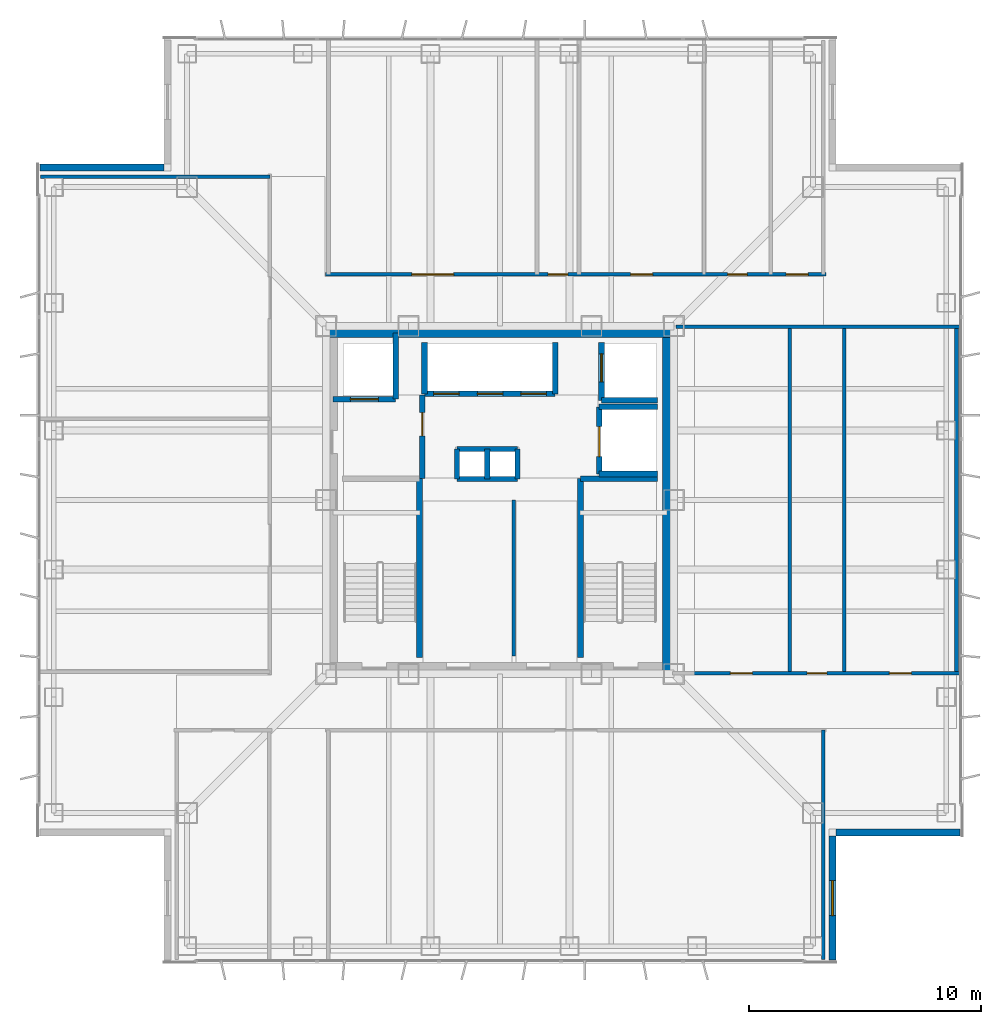
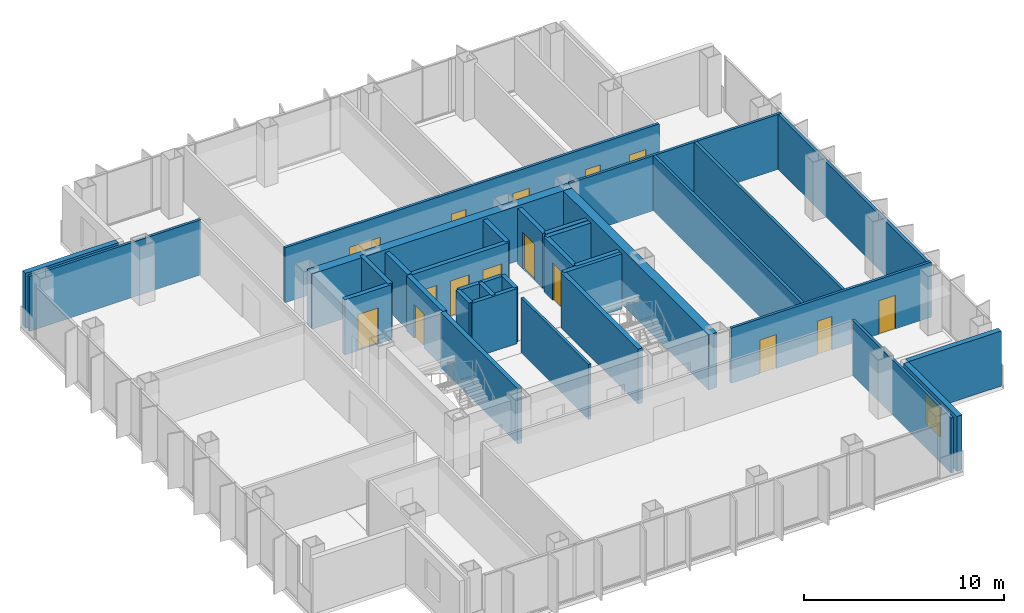
# One storey, part 10 of 17: 33 walls, 15 doors, 1 window, 16 openings.
"""IFC4 building model written with IfcOpenShell, lengths in metres."""

from ifc_helpers import new_model, si_unit, direction, frame, frame_2d, origin, place, context, subcontext, project, spatial, rectangle, extrude, material, layer, layer_set, type_object, element, fill, save


model = new_model("IFC4")

# Units and contexts
model_context = context("Model", 3, precision=1e-05, world=origin(), true_north=direction((0.0, 1.0)))
body_context = subcontext(model_context, "Body", "Model", "MODEL_VIEW")
ifc_project = project(units=[si_unit("LENGTHUNIT", "METRE"), si_unit("AREAUNIT", "SQUARE_METRE"), si_unit("VOLUMEUNIT", "CUBIC_METRE"), si_unit("PLANEANGLEUNIT", "RADIAN"), si_unit("MASSUNIT", "GRAM", prefix="KILO")], contexts=[model_context])

# Site, building, storey
site_placement = place(None, origin())
site = spatial("IfcSite", under=ifc_project, at=site_placement, CompositionType="ELEMENT")
building_placement = place(site_placement, origin())
building = spatial("IfcBuilding", under=site, at=building_placement, Name="Trevonay Congress Spire", CompositionType="ELEMENT")
storey_placement = place(building_placement, frame((0.0, 0.0, 184.199951171875)))
storey = spatial("IfcBuildingStorey", under=building, at=storey_placement, Name="L47", CompositionType="ELEMENT", Elevation=184.199951171875)

# Walls
ifc_material_1 = material(Name="Concrete C50/60", Category="concrete")
ifc_layer_1 = layer(ifc_material_1, 0.5, Name="Concrete C50/60")
ifc_layer_set_1 = layer_set([ifc_layer_1], Name="Concrete C50/60")
wall_type_1 = type_object("IfcWallType", Name="WAL-CORE-500", PredefinedType="SHEAR", material=ifc_layer_set_1)
for number, where, z_axis, x_axis, name in (
    (1, (-7.5, 7.25, 0.0), (0.0, 0.0, 1.0), (1.0, 0.0, 0.0), "L47 North structural core shear wall"),
    (2, (7.25, -7.5, 0.0), (0.0, 0.0, 1.0), (0.0, 1.0, 0.0), "L47 East structural core shear wall"),
):
    element("IfcWall", number, at=place(storey_placement, frame(where, z_axis=z_axis, x_axis=x_axis)), inside=storey, type_object=wall_type_1, Name=name, PredefinedType="SHEAR", context=body_context, shape_type="SweptSolid", body=[
        extrude(rectangle(XDim=15.0, YDim=0.5, at=frame_2d((7.5, 0.0))), origin(), (0.0, 0.0, 1.0), 3.360107421875),
    ])

# Wall, openings, doors
ifc_material_2 = material(Name="Concrete C40/50", Category="concrete")
ifc_layer_2 = layer(ifc_material_2, 0.14990234375, Name="Concrete C40/50")
ifc_layer_set_2 = layer_set([ifc_layer_2], Name="Concrete C40/50")
wall_type_2 = type_object("IfcWallType", Name="WAL-CORR-150", PredefinedType="PARTITIONING", material=ifc_layer_set_2)
wall_1_placement = place(storey_placement, frame((-7.52001953125, 9.72998046875, 0.0), z_axis=(0.0, 0.0, 1.0), x_axis=(1.0, 0.0, 0.0)))
wall_1 = element("IfcWall", 3, at=wall_1_placement, inside=storey, type_object=wall_type_2, Name="L47 interior wall WP-L47N-COR", PredefinedType="PARTITIONING", context=body_context, shape_type="SweptSolid", body=[
    extrude(rectangle(XDim=21.590087890625, YDim=0.14990234375, at=frame_2d((10.794921875, 0.0))), origin(), (0.0, 0.0, 1.0), 3.360107421875),
])
opening_1_placement = place(wall_1_placement, frame((3.719970703125, 0.0, 0.0)))
opening_1 = element("IfcOpeningElement", 4, at=opening_1_placement, cuts=wall_1, Name="Opening D09", PredefinedType="OPENING", context=body_context, shape_type="SweptSolid", body=[
    extrude(rectangle(XDim=1.800048828125, YDim=2.080078125, at=frame_2d((0.89990234375, 1.0400390625))), frame((0.0, 0.0849609375, 0.0), z_axis=(0.0, -1.0, 0.0), x_axis=(1.0, 0.0, 0.0)), (0.0, 0.0, 1.0), 0.169921875),
])
opening_2_placement = place(wall_1_placement, frame((9.60009765625, 0.0, 0.0)))
opening_2 = element("IfcOpeningElement", 5, at=opening_2_placement, cuts=wall_1, Name="Opening D10", PredefinedType="OPENING", context=body_context, shape_type="SweptSolid", body=[
    extrude(rectangle(XDim=0.85009765625, YDim=2.050048828125, at=frame_2d((0.425048828125, 1.02490234375))), frame((0.0, 0.0849609375, 0.0), z_axis=(0.0, -1.0, 0.0), x_axis=(1.0, 0.0, 0.0)), (0.0, 0.0, 1.0), 0.169921875),
])
opening_3_placement = place(wall_1_placement, frame((13.14990234375, 0.0, 0.0)))
opening_3 = element("IfcOpeningElement", 6, at=opening_3_placement, cuts=wall_1, Name="Opening D07", PredefinedType="OPENING", context=body_context, shape_type="SweptSolid", body=[
    extrude(rectangle(XDim=0.949951171875, YDim=2.06005859375, at=frame_2d((0.47509765625, 1.030029296875))), frame((0.0, 0.0849609375, 0.0), z_axis=(0.0, -1.0, 0.0), x_axis=(1.0, 0.0, 0.0)), (0.0, 0.0, 1.0), 0.169921875),
])
opening_4_placement = place(wall_1_placement, frame((17.3349609375, 0.0, 0.0)))
opening_4 = element("IfcOpeningElement", 7, at=opening_4_placement, cuts=wall_1, Name="Opening D10", PredefinedType="OPENING", context=body_context, shape_type="SweptSolid", body=[
    extrude(rectangle(XDim=0.85009765625, YDim=2.050048828125, at=frame_2d((0.425048828125, 1.02490234375))), frame((0.0, 0.0849609375, 0.0), z_axis=(0.0, -1.0, 0.0), x_axis=(1.0, 0.0, 0.0)), (0.0, 0.0, 1.0), 0.169921875),
])
opening_5_placement = place(wall_1_placement, frame((19.860107421875, 0.0, 0.0)))
opening_5 = element("IfcOpeningElement", 8, at=opening_5_placement, cuts=wall_1, Name="Opening D07", PredefinedType="OPENING", context=body_context, shape_type="SweptSolid", body=[
    extrude(rectangle(XDim=0.949951171875, YDim=2.06005859375, at=frame_2d((0.47509765625, 1.030029296875))), frame((0.0, 0.0849609375, 0.0), z_axis=(0.0, -1.0, 0.0), x_axis=(1.0, 0.0, 0.0)), (0.0, 0.0, 1.0), 0.169921875),
])
ifc_material_3 = material(Name="Pale Anodised Aluminium EN AW-6063-T6", Category="aluminium")
door_type_1 = type_object("IfcDoorType", Name="DOR-CONF-DBL", OperationType="DOUBLE_DOOR_SINGLE_SWING", PredefinedType="DOOR", material=ifc_material_3)
door_1_placement = place(opening_1_placement, origin())
door_1 = element("IfcDoor", 9, at=door_1_placement, inside=storey, type_object=door_type_1, Name="L47 Witness Waiting Lounge Door", OperationType="DOUBLE_DOOR_SINGLE_SWING", OverallHeight=2.080078125, OverallWidth=1.800048828125, PredefinedType="DOOR", context=body_context, shape_type="SweptSolid", body=[
    extrude(rectangle(XDim=1.800048828125, YDim=2.080078125, at=frame_2d((0.89990234375, 1.0400390625))), frame((0.0, 0.02490234375, 0.0), z_axis=(0.0, -1.0, 0.0), x_axis=(1.0, 0.0, 0.0)), (0.0, 0.0, 1.0), 0.050048828125),
])
fill(opening_1, door_1)
door_type_2 = type_object("IfcDoorType", Name="DOR-OFFICE-95", OperationType="NOTDEFINED", PredefinedType="DOOR", material=ifc_material_3)
door_2_placement = place(opening_3_placement, origin())
door_2 = element("IfcDoor", 10, at=door_2_placement, inside=storey, type_object=door_type_2, Name="L47 Floor Supplies and Copy Room Door", OperationType="SINGLE_SWING_LEFT", OverallHeight=2.06005859375, OverallWidth=0.949951171875, PredefinedType="DOOR", context=body_context, shape_type="SweptSolid", body=[
    extrude(rectangle(XDim=0.949951171875, YDim=2.06005859375, at=frame_2d((0.47509765625, 1.030029296875))), frame((0.0, 0.02490234375, 0.0), z_axis=(0.0, -1.0, 0.0), x_axis=(1.0, 0.0, 0.0)), (0.0, 0.0, 1.0), 0.050048828125),
])
fill(opening_3, door_2)
door_3_placement = place(opening_5_placement, origin())
door_3 = element("IfcDoor", 11, at=door_3_placement, inside=storey, type_object=door_type_2, Name="L47 Floor Supplies and Copy Room Door", OperationType="SINGLE_SWING_LEFT", OverallHeight=2.06005859375, OverallWidth=0.949951171875, PredefinedType="DOOR", context=body_context, shape_type="SweptSolid", body=[
    extrude(rectangle(XDim=0.949951171875, YDim=2.06005859375, at=frame_2d((0.47509765625, 1.030029296875))), frame((0.0, 0.02490234375, 0.0), z_axis=(0.0, -1.0, 0.0), x_axis=(1.0, 0.0, 0.0)), (0.0, 0.0, 1.0), 0.050048828125),
])
fill(opening_5, door_3)
door_type_3 = type_object("IfcDoorType", Name="DOR-WC-85", OperationType="NOTDEFINED", PredefinedType="DOOR", material=ifc_material_3)
door_4_placement = place(opening_2_placement, origin())
door_4 = element("IfcDoor", 12, at=door_4_placement, inside=storey, type_object=door_type_3, Name="L47 Accessible WC Door", OperationType="SINGLE_SWING_RIGHT", OverallHeight=2.050048828125, OverallWidth=0.85009765625, PredefinedType="DOOR", context=body_context, shape_type="SweptSolid", body=[
    extrude(rectangle(XDim=0.85009765625, YDim=2.050048828125, at=frame_2d((0.425048828125, 1.02490234375))), frame((0.0, 0.02490234375, 0.0), z_axis=(0.0, -1.0, 0.0), x_axis=(1.0, 0.0, 0.0)), (0.0, 0.0, 1.0), 0.050048828125),
])
fill(opening_2, door_4)
door_5_placement = place(opening_4_placement, origin())
door_5 = element("IfcDoor", 13, at=door_5_placement, inside=storey, type_object=door_type_3, Name="L47 Female Restroom WC Door", OperationType="SINGLE_SWING_RIGHT", OverallHeight=2.050048828125, OverallWidth=0.85009765625, PredefinedType="DOOR", context=body_context, shape_type="SweptSolid", body=[
    extrude(rectangle(XDim=0.85009765625, YDim=2.050048828125, at=frame_2d((0.425048828125, 1.02490234375))), frame((0.0, 0.02490234375, 0.0), z_axis=(0.0, -1.0, 0.0), x_axis=(1.0, 0.0, 0.0)), (0.0, 0.0, 1.0), 0.050048828125),
])
fill(opening_4, door_5)

wall_2_placement = place(storey_placement, frame((8.280029296875, -7.47998046875, 0.0), z_axis=(0.0, 0.0, 1.0), x_axis=(1.0, 0.0, 0.0)))
wall_2 = element("IfcWall", 14, at=wall_2_placement, inside=storey, type_object=wall_type_2, Name="L47 interior wall WP-L47E-COR", PredefinedType="PARTITIONING", context=body_context, shape_type="SweptSolid", body=[
    extrude(rectangle(XDim=11.5400390625, YDim=0.14990234375, at=frame_2d((5.77001953125, 0.0))), origin(), (0.0, 0.0, 1.0), 3.360107421875),
])
opening_6_placement = place(wall_2_placement, frame((1.655029296875, 0.0, 0.0)))
opening_6 = element("IfcOpeningElement", 15, at=opening_6_placement, cuts=wall_2, Name="Opening D07", PredefinedType="OPENING", context=body_context, shape_type="SweptSolid", body=[
    extrude(rectangle(XDim=0.949951171875, YDim=2.06005859375, at=frame_2d((0.47509765625, 1.030029296875))), frame((0.0, 0.0849609375, 0.0), z_axis=(0.0, -1.0, 0.0), x_axis=(1.0, 0.0, 0.0)), (0.0, 0.0, 1.0), 0.169921875),
])
opening_7_placement = place(wall_2_placement, frame((4.969970703125, 0.0, 0.0)))
opening_7 = element("IfcOpeningElement", 16, at=opening_7_placement, cuts=wall_2, Name="Opening D10", PredefinedType="OPENING", context=body_context, shape_type="SweptSolid", body=[
    extrude(rectangle(XDim=0.85009765625, YDim=2.050048828125, at=frame_2d((0.425048828125, 1.02490234375))), frame((0.0, 0.0849609375, 0.0), z_axis=(0.0, -1.0, 0.0), x_axis=(1.0, 0.0, 0.0)), (0.0, 0.0, 1.0), 0.169921875),
])
opening_8_placement = place(wall_2_placement, frame((8.52001953125, 0.0, 0.0)))
opening_8 = element("IfcOpeningElement", 17, at=opening_8_placement, cuts=wall_2, Name="Opening D07", PredefinedType="OPENING", context=body_context, shape_type="SweptSolid", body=[
    extrude(rectangle(XDim=0.949951171875, YDim=2.06005859375, at=frame_2d((0.47509765625, 1.030029296875))), frame((0.0, 0.0849609375, 0.0), z_axis=(0.0, -1.0, 0.0), x_axis=(1.0, 0.0, 0.0)), (0.0, 0.0, 1.0), 0.169921875),
])
door_6_placement = place(opening_6_placement, origin())
door_6 = element("IfcDoor", 18, at=door_6_placement, inside=storey, type_object=door_type_2, Name="L47 Hearing Catering Pantry Door", OperationType="SINGLE_SWING_RIGHT", OverallHeight=2.06005859375, OverallWidth=0.949951171875, PredefinedType="DOOR", context=body_context, shape_type="SweptSolid", body=[
    extrude(rectangle(XDim=0.949951171875, YDim=2.06005859375, at=frame_2d((0.47509765625, 1.030029296875))), frame((0.0, 0.02490234375, 0.0), z_axis=(0.0, -1.0, 0.0), x_axis=(1.0, 0.0, 0.0)), (0.0, 0.0, 1.0), 0.050048828125),
])
fill(opening_6, door_6)
door_7_placement = place(opening_8_placement, origin())
door_7 = element("IfcDoor", 19, at=door_7_placement, inside=storey, type_object=door_type_2, Name="L47 Floor Supplies and Copy Room Door", OperationType="SINGLE_SWING_RIGHT", OverallHeight=2.06005859375, OverallWidth=0.949951171875, PredefinedType="DOOR", context=body_context, shape_type="SweptSolid", body=[
    extrude(rectangle(XDim=0.949951171875, YDim=2.06005859375, at=frame_2d((0.47509765625, 1.030029296875))), frame((0.0, 0.02490234375, 0.0), z_axis=(0.0, -1.0, 0.0), x_axis=(1.0, 0.0, 0.0)), (0.0, 0.0, 1.0), 0.050048828125),
])
fill(opening_8, door_7)
door_8_placement = place(opening_7_placement, origin())
door_8 = element("IfcDoor", 20, at=door_8_placement, inside=storey, type_object=door_type_3, Name="L47 Male Restroom WC Door", OperationType="SINGLE_SWING_LEFT", OverallHeight=2.050048828125, OverallWidth=0.85009765625, PredefinedType="DOOR", context=body_context, shape_type="SweptSolid", body=[
    extrude(rectangle(XDim=0.85009765625, YDim=2.050048828125, at=frame_2d((0.425048828125, 1.02490234375))), frame((0.0, 0.02490234375, 0.0), z_axis=(0.0, -1.0, 0.0), x_axis=(1.0, 0.0, 0.0)), (0.0, 0.0, 1.0), 0.050048828125),
])
fill(opening_7, door_8)

# Wall, opening, window
ifc_material_4 = material(Name="Precast concrete C40/50", Category="concrete")
ifc_layer_3 = layer(ifc_material_4, 0.300048828125, Name="Precast concrete C40/50")
ifc_layer_set_3 = layer_set([ifc_layer_3], Name="Precast concrete C40/50")
wall_type_3 = type_object("IfcWallType", Name="WAL-EXT-PRECAST-300", PredefinedType="SOLIDWALL", material=ifc_layer_set_3)
wall_3_placement = place(storey_placement, frame((14.35009765625, -19.85009765625, 0.0), z_axis=(0.0, 0.0, 1.0), x_axis=(0.0, 1.0, 0.0)))
wall_3 = element("IfcWall", 21, at=wall_3_placement, inside=storey, type_object=wall_type_3, Name="L47 SE re-entrant notch exterior wall 1", PredefinedType="SOLIDWALL", context=body_context, shape_type="SweptSolid", body=[
    extrude(rectangle(XDim=5.35009765625, YDim=0.300048828125, at=frame_2d((2.675048828125, 0.0))), origin(), (0.0, 0.0, 1.0), 3.360107421875),
])
opening_9_placement = place(wall_3_placement, frame((1.925048828125, 0.0, 0.89990234375)))
opening_9 = element("IfcOpeningElement", 22, at=opening_9_placement, cuts=wall_3, Name="Opening WN03", PredefinedType="OPENING", context=body_context, shape_type="SweptSolid", body=[
    extrude(rectangle(XDim=1.5, YDim=1.800048828125, at=frame_2d((0.75, 0.89990234375))), frame((0.0, 0.16015625, 0.0), z_axis=(0.0, -1.0, 0.0), x_axis=(1.0, 0.0, 0.0)), (0.0, 0.0, 1.0), 0.320068359375),
])
ifc_material_5 = material(Name="Insulated Low-E Vision Glass IGU", Category="glass")
window_type = type_object("IfcWindowType", Name="WIN-NOTCH-150X180", PartitioningType="SINGLE_PANEL", PredefinedType="WINDOW", material=ifc_material_5)
window_placement = place(opening_9_placement, origin())
window = element("IfcWindow", 23, at=window_placement, inside=storey, type_object=window_type, Name="L47 SE corner notch window", OverallHeight=1.800048828125, OverallWidth=1.5, PartitioningType="SINGLE_PANEL", PredefinedType="WINDOW", context=body_context, shape_type="SweptSolid", body=[
    extrude(rectangle(XDim=1.5, YDim=1.800048828125, at=frame_2d((0.75, 0.89990234375))), frame((0.0, 0.030029296875, 0.0), z_axis=(0.0, -1.0, 0.0), x_axis=(1.0, 0.0, 0.0)), (0.0, 0.0, 1.0), 0.06005859375),
])
fill(opening_9, window)

# Walls
for number, where, z_axis, x_axis, name in (
    (24, (19.85009765625, -14.35009765625, 0.0), (0.0, 0.0, 1.0), (-1.0, 0.0, 0.0), "L47 SE re-entrant notch exterior wall 2"),
    (25, (-19.85009765625, 14.35009765625, 0.0), (0.0, 0.0, 1.0), (1.0, 0.0, 0.0), "L47 NW re-entrant notch exterior wall 2"),
):
    element("IfcWall", number, at=place(storey_placement, frame(where, z_axis=z_axis, x_axis=x_axis)), inside=storey, type_object=wall_type_3, Name=name, PredefinedType="SOLIDWALL", context=body_context, shape_type="SweptSolid", body=[
        extrude(rectangle(XDim=5.35009765625, YDim=0.300048828125, at=frame_2d((2.675048828125, 0.0))), origin(), (0.0, 0.0, 1.0), 3.360107421875),
    ])
ifc_layer_4 = layer(ifc_material_2, 0.14990234375, Name="Concrete C40/50")
ifc_layer_set_4 = layer_set([ifc_layer_4], Name="Concrete C40/50")
wall_type_4 = type_object("IfcWallType", Name="WAL-PART-150", PredefinedType="PARTITIONING", material=ifc_layer_set_4)
wall_4_placement = place(storey_placement, frame((0.60009765625, -6.719970703125, 0.0), z_axis=(0.0, 0.0, 1.0), x_axis=(0.0, 1.0, 0.0)))
element("IfcWall", 26, at=wall_4_placement, inside=storey, type_object=wall_type_4, Name="L47 interior wall CW-F1V-L47", PredefinedType="PARTITIONING", context=body_context, shape_type="SweptSolid", body=[
    extrude(rectangle(XDim=6.719970703125, YDim=0.14990234375, at=frame_2d((3.35986328125, 0.0))), origin(), (0.0, 0.0, 1.0), 3.360107421875),
])
for number, where, z_axis, x_axis, name in (
    (27, (13.949951171875, -19.820068359375, 0.0), (0.0, 0.0, 1.0), (0.0, 1.0, 0.0), "L47 interior wall WP-L47SE-DIV2"),
    (28, (-19.820068359375, 13.949951171875, 0.0), (0.0, 0.0, 1.0), (1.0, 0.0, 0.0), "L47 interior wall WP-L47NW-DIV3"),
):
    element("IfcWall", number, at=place(storey_placement, frame(where, z_axis=z_axis, x_axis=x_axis)), inside=storey, type_object=wall_type_4, Name=name, PredefinedType="PARTITIONING", context=body_context, shape_type="SweptSolid", body=[
        extrude(rectangle(XDim=9.89013671875, YDim=0.14990234375, at=frame_2d((4.945068359375, 0.0))), origin(), (0.0, 0.0, 1.0), 3.360107421875),
    ])
wall_5_placement = place(storey_placement, frame((7.60009765625, 7.47998046875, 0.0), z_axis=(0.0, 0.0, 1.0), x_axis=(1.0, 0.0, 0.0)))
element("IfcWall", 29, at=wall_5_placement, inside=storey, type_object=wall_type_4, Name="L47 interior wall WP-L47E-NCLS", PredefinedType="PARTITIONING", context=body_context, shape_type="SweptSolid", body=[
    extrude(rectangle(XDim=12.219970703125, YDim=0.14990234375, at=frame_2d((6.10986328125, 0.0))), origin(), (0.0, 0.0, 1.0), 3.360107421875),
])
ifc_layer_5 = layer(ifc_material_2, 0.219970703125, Name="Concrete C40/50")
ifc_layer_set_5 = layer_set([ifc_layer_5], Name="Concrete C40/50")
wall_type_5 = type_object("IfcWallType", Name="WAL-SHAFT-220", PredefinedType="PARTITIONING", material=ifc_layer_set_5)
for number, where, z_axis, x_axis, name in (
    (30, (-1.85009765625, 2.199951171875, 0.0), (0.0, 0.0, 1.0), (1.0, 0.0, 0.0), "L47 interior shaft wall WSH-L47-RSR-N"),
    (31, (-1.85009765625, 0.89990234375, 0.0), (0.0, 0.0, 1.0), (1.0, 0.0, 0.0), "L47 interior shaft wall WSH-L47-RSR-S"),
):
    element("IfcWall", number, at=place(storey_placement, frame(where, z_axis=z_axis, x_axis=x_axis)), inside=storey, type_object=wall_type_5, Name=name, PredefinedType="PARTITIONING", context=body_context, shape_type="SweptSolid", body=[
        extrude(rectangle(XDim=2.60009765625, YDim=0.219970703125, at=frame_2d((1.300048828125, 0.0))), origin(), (0.0, 0.0, 1.0), 3.360107421875),
    ])
for number, where, z_axis, x_axis, name in (
    (32, (-0.550048828125, 0.89990234375, 0.0), (0.0, 0.0, 1.0), (0.0, 1.0, 0.0), "L47 interior shaft wall WSH-L47-RSR-M"),
    (33, (0.75, 0.89990234375, 0.0), (0.0, 0.0, 1.0), (0.0, 1.0, 0.0), "L47 interior shaft wall WSH-L47-RSR-E"),
    (34, (-1.85009765625, 0.89990234375, 0.0), (0.0, 0.0, 1.0), (0.0, 1.0, 0.0), "L47 interior shaft wall WSH-L47-RSR-W"),
):
    element("IfcWall", number, at=place(storey_placement, frame(where, z_axis=z_axis, x_axis=x_axis)), inside=storey, type_object=wall_type_5, Name=name, PredefinedType="PARTITIONING", context=body_context, shape_type="SweptSolid", body=[
        extrude(rectangle(XDim=1.300048828125, YDim=0.219970703125, at=frame_2d((0.64990234375, 0.0))), origin(), (0.0, 0.0, 1.0), 3.360107421875),
    ])

# Wall, openings, doors
ifc_layer_6 = layer(ifc_material_2, 0.25, Name="Concrete C40/50")
ifc_layer_set_6 = layer_set([ifc_layer_6], Name="Concrete C40/50")
wall_type_6 = type_object("IfcWallType", Name="WAL-SHAFT-250", PredefinedType="SHEAR", material=ifc_layer_set_6)
wall_6_placement = place(storey_placement, frame((-3.260009765625, 4.580078125, 0.0), z_axis=(0.0, 0.0, 1.0), x_axis=(1.0, 0.0, 0.0)))
wall_6 = element("IfcWall", 35, at=wall_6_placement, inside=storey, type_object=wall_type_6, Name="L47 interior shaft wall WSH-L47-B3-S", PredefinedType="SHEAR", context=body_context, shape_type="SweptSolid", body=[
    extrude(rectangle(XDim=5.639892578125, YDim=0.25, at=frame_2d((2.81982421875, 0.0))), origin(), (0.0, 0.0, 1.0), 3.360107421875),
])
opening_10_placement = place(wall_6_placement, frame((0.39990234375, 0.0, 0.0)))
opening_10 = element("IfcOpeningElement", 36, at=opening_10_placement, cuts=wall_6, Name="Opening LD03", PredefinedType="OPENING", context=body_context, shape_type="SweptSolid", body=[
    extrude(rectangle(XDim=1.10009765625, YDim=2.199951171875, at=frame_2d((0.550048828125, 1.10009765625))), frame((0.0, 0.135009765625, 0.0), z_axis=(0.0, -1.0, 0.0), x_axis=(1.0, 0.0, 0.0)), (0.0, 0.0, 1.0), 0.27001953125),
])
opening_11_placement = place(wall_6_placement, frame((2.280029296875, 0.0, 0.0)))
opening_11 = element("IfcOpeningElement", 37, at=opening_11_placement, cuts=wall_6, Name="Opening LD03", PredefinedType="OPENING", context=body_context, shape_type="SweptSolid", body=[
    extrude(rectangle(XDim=1.10009765625, YDim=2.199951171875, at=frame_2d((0.550048828125, 1.10009765625))), frame((0.0, 0.135009765625, 0.0), z_axis=(0.0, -1.0, 0.0), x_axis=(1.0, 0.0, 0.0)), (0.0, 0.0, 1.0), 0.27001953125),
])
opening_12_placement = place(wall_6_placement, frame((4.159912109375, 0.0, 0.0)))
opening_12 = element("IfcOpeningElement", 38, at=opening_12_placement, cuts=wall_6, Name="Opening LD03", PredefinedType="OPENING", context=body_context, shape_type="SweptSolid", body=[
    extrude(rectangle(XDim=1.10009765625, YDim=2.199951171875, at=frame_2d((0.550048828125, 1.10009765625))), frame((0.0, 0.135009765625, 0.0), z_axis=(0.0, -1.0, 0.0), x_axis=(1.0, 0.0, 0.0)), (0.0, 0.0, 1.0), 0.27001953125),
])
door_type_4 = type_object("IfcDoorType", Name="DOR-LIFT-LD03", OperationType="DOUBLE_DOOR_SLIDING", PredefinedType="DOOR", material=ifc_material_3)
door_9_placement = place(opening_10_placement, origin())
door_9 = element("IfcDoor", 39, at=door_9_placement, inside=storey, type_object=door_type_4, Name="L47 Passenger lift PL-07 landing door", OperationType="DOUBLE_DOOR_SLIDING", OverallHeight=2.199951171875, OverallWidth=1.10009765625, PredefinedType="DOOR", context=body_context, shape_type="SweptSolid", body=[
    extrude(rectangle(XDim=1.10009765625, YDim=2.199951171875, at=frame_2d((0.550048828125, 1.10009765625))), frame((0.0, 0.02490234375, 0.0), z_axis=(0.0, -1.0, 0.0), x_axis=(1.0, 0.0, 0.0)), (0.0, 0.0, 1.0), 0.050048828125),
])
fill(opening_10, door_9)
door_10_placement = place(opening_11_placement, origin())
door_10 = element("IfcDoor", 40, at=door_10_placement, inside=storey, type_object=door_type_4, Name="L47 Passenger lift PL-08 landing door", OperationType="DOUBLE_DOOR_SLIDING", OverallHeight=2.199951171875, OverallWidth=1.10009765625, PredefinedType="DOOR", context=body_context, shape_type="SweptSolid", body=[
    extrude(rectangle(XDim=1.10009765625, YDim=2.199951171875, at=frame_2d((0.550048828125, 1.10009765625))), frame((0.0, 0.02490234375, 0.0), z_axis=(0.0, -1.0, 0.0), x_axis=(1.0, 0.0, 0.0)), (0.0, 0.0, 1.0), 0.050048828125),
])
fill(opening_11, door_10)
door_11_placement = place(opening_12_placement, origin())
door_11 = element("IfcDoor", 41, at=door_11_placement, inside=storey, type_object=door_type_4, Name="L47 Passenger lift PL-09 landing door", OperationType="DOUBLE_DOOR_SLIDING", OverallHeight=2.199951171875, OverallWidth=1.10009765625, PredefinedType="DOOR", context=body_context, shape_type="SweptSolid", body=[
    extrude(rectangle(XDim=1.10009765625, YDim=2.199951171875, at=frame_2d((0.550048828125, 1.10009765625))), frame((0.0, 0.02490234375, 0.0), z_axis=(0.0, -1.0, 0.0), x_axis=(1.0, 0.0, 0.0)), (0.0, 0.0, 1.0), 0.050048828125),
])
fill(opening_12, door_11)

# Walls
for number, where, z_axis, x_axis, name in (
    (42, (-3.260009765625, 4.580078125, 0.0), (0.0, 0.0, 1.0), (0.0, 1.0, 0.0), "L47 interior shaft wall WSH-L47-B3-W"),
    (43, (2.3798828125, 4.580078125, 0.0), (0.0, 0.0, 1.0), (0.0, 1.0, 0.0), "L47 interior shaft wall WSH-L47-B3-E"),
):
    element("IfcWall", number, at=place(storey_placement, frame(where, z_axis=z_axis, x_axis=x_axis)), inside=storey, type_object=wall_type_6, Name=name, PredefinedType="SHEAR", context=body_context, shape_type="SweptSolid", body=[
        extrude(rectangle(XDim=2.219970703125, YDim=0.25, at=frame_2d((1.10986328125, 0.0))), origin(), (0.0, 0.0, 1.0), 3.360107421875),
    ])

# Wall, opening, door
wall_7_placement = place(storey_placement, frame((-7.199951171875, 4.35009765625, 0.0), z_axis=(0.0, 0.0, 1.0), x_axis=(1.0, 0.0, 0.0)))
wall_7 = element("IfcWall", 44, at=wall_7_placement, inside=storey, type_object=wall_type_6, Name="L47 interior shaft wall WSH-L47-FF1-S", PredefinedType="SHEAR", context=body_context, shape_type="SweptSolid", body=[
    extrude(rectangle(XDim=2.699951171875, YDim=0.25, at=frame_2d((1.35009765625, 0.0))), origin(), (0.0, 0.0, 1.0), 3.360107421875),
])
opening_13_placement = place(wall_7_placement, frame((0.75, 0.0, 0.0)))
opening_13 = element("IfcOpeningElement", 45, at=opening_13_placement, cuts=wall_7, Name="Opening LD04", PredefinedType="OPENING", context=body_context, shape_type="SweptSolid", body=[
    extrude(rectangle(XDim=1.199951171875, YDim=2.199951171875, at=frame_2d((0.60009765625, 1.10009765625))), frame((0.0, 0.135009765625, 0.0), z_axis=(0.0, -1.0, 0.0), x_axis=(1.0, 0.0, 0.0)), (0.0, 0.0, 1.0), 0.27001953125),
])
ifc_material_6 = material(Name="Steel ASTM A572 Grade 50", Category="steel")
door_type_5 = type_object("IfcDoorType", Name="DOR-LIFT-LD04", OperationType="DOUBLE_DOOR_SLIDING", PredefinedType="DOOR", material=ifc_material_6)
door_12_placement = place(opening_13_placement, origin())
door_12 = element("IfcDoor", 46, at=door_12_placement, inside=storey, type_object=door_type_5, Name="L47 Firefighting lift FFL-01 landing door", OperationType="DOUBLE_DOOR_SLIDING", OverallHeight=2.199951171875, OverallWidth=1.199951171875, PredefinedType="DOOR", context=body_context, shape_type="SweptSolid", body=[
    extrude(rectangle(XDim=1.199951171875, YDim=2.199951171875, at=frame_2d((0.60009765625, 1.10009765625))), frame((0.0, 0.02490234375, 0.0), z_axis=(0.0, -1.0, 0.0), x_axis=(1.0, 0.0, 0.0)), (0.0, 0.0, 1.0), 0.050048828125),
])
fill(opening_13, door_12)

# Walls
wall_8_placement = place(storey_placement, frame((-4.5, 4.35009765625, 0.0), z_axis=(0.0, 0.0, 1.0), x_axis=(0.0, 1.0, 0.0)))
element("IfcWall", 47, at=wall_8_placement, inside=storey, type_object=wall_type_6, Name="L47 interior shaft wall WSH-L47-FF1-E", PredefinedType="SHEAR", context=body_context, shape_type="SweptSolid", body=[
    extrude(rectangle(XDim=2.849853515625, YDim=0.25, at=frame_2d((1.4248046875, 0.0))), origin(), (0.0, 0.0, 1.0), 3.360107421875),
])
wall_9_placement = place(storey_placement, frame((4.3798828125, 4.300048828125, 0.0), z_axis=(0.0, 0.0, 1.0), x_axis=(1.0, 0.0, 0.0)))
element("IfcWall", 48, at=wall_9_placement, inside=storey, type_object=wall_type_6, Name="L47 interior shaft wall WSH-L47-FF2-S", PredefinedType="SHEAR", context=body_context, shape_type="SweptSolid", body=[
    extrude(rectangle(XDim=2.420166015625, YDim=0.25, at=frame_2d((1.2099609375, 0.0))), origin(), (0.0, 0.0, 1.0), 3.360107421875),
])

# Wall, opening, door
wall_10_placement = place(storey_placement, frame((4.3798828125, 4.300048828125, 0.0), z_axis=(0.0, 0.0, 1.0), x_axis=(0.0, 1.0, 0.0)))
wall_10 = element("IfcWall", 49, at=wall_10_placement, inside=storey, type_object=wall_type_6, Name="L47 interior shaft wall WSH-L47-FF2-W", PredefinedType="SHEAR", context=body_context, shape_type="SweptSolid", body=[
    extrude(rectangle(XDim=2.5, YDim=0.25, at=frame_2d((1.25, 0.0))), origin(), (0.0, 0.0, 1.0), 3.360107421875),
])
opening_14_placement = place(wall_10_placement, frame((0.800048828125, 0.0, 0.0)))
opening_14 = element("IfcOpeningElement", 50, at=opening_14_placement, cuts=wall_10, Name="Opening LD04", PredefinedType="OPENING", context=body_context, shape_type="SweptSolid", body=[
    extrude(rectangle(XDim=1.199951171875, YDim=2.199951171875, at=frame_2d((0.60009765625, 1.10009765625))), frame((0.0, 0.135009765625, 0.0), z_axis=(0.0, -1.0, 0.0), x_axis=(1.0, 0.0, 0.0)), (0.0, 0.0, 1.0), 0.27001953125),
])
door_13_placement = place(opening_14_placement, origin())
door_13 = element("IfcDoor", 51, at=door_13_placement, inside=storey, type_object=door_type_5, Name="L47 Firefighting lift FFL-02 landing door", OperationType="DOUBLE_DOOR_SLIDING", OverallHeight=2.199951171875, OverallWidth=1.199951171875, PredefinedType="DOOR", context=body_context, shape_type="SweptSolid", body=[
    extrude(rectangle(XDim=1.199951171875, YDim=2.199951171875, at=frame_2d((0.60009765625, 1.10009765625))), frame((0.0, 0.02490234375, 0.0), z_axis=(0.0, -1.0, 0.0), x_axis=(1.0, 0.0, 0.0)), (0.0, 0.0, 1.0), 0.050048828125),
])
fill(opening_14, door_13)

wall_11_placement = place(storey_placement, frame((4.280029296875, 1.1201171875, 0.0), z_axis=(0.0, 0.0, 1.0), x_axis=(0.0, 1.0, 0.0)))
wall_11 = element("IfcWall", 52, at=wall_11_placement, inside=storey, type_object=wall_type_6, Name="L47 interior shaft wall WSH-L47-SV-W", PredefinedType="SHEAR", context=body_context, shape_type="SweptSolid", body=[
    extrude(rectangle(XDim=2.89990234375, YDim=0.25, at=frame_2d((1.449951171875, 0.0))), origin(), (0.0, 0.0, 1.0), 3.360107421875),
])
opening_15_placement = place(wall_11_placement, frame((0.75, 0.0, 0.0)))
opening_15 = element("IfcOpeningElement", 53, at=opening_15_placement, cuts=wall_11, Name="Opening LD05", PredefinedType="OPENING", context=body_context, shape_type="SweptSolid", body=[
    extrude(rectangle(XDim=1.300048828125, YDim=2.300048828125, at=frame_2d((0.64990234375, 1.14990234375))), frame((0.0, 0.135009765625, 0.0), z_axis=(0.0, -1.0, 0.0), x_axis=(1.0, 0.0, 0.0)), (0.0, 0.0, 1.0), 0.27001953125),
])
door_type_6 = type_object("IfcDoorType", Name="DOR-LIFT-LD05", OperationType="DOUBLE_DOOR_SLIDING", PredefinedType="DOOR", material=ifc_material_6)
door_14_placement = place(opening_15_placement, origin())
door_14 = element("IfcDoor", 54, at=door_14_placement, inside=storey, type_object=door_type_6, Name="L47 Goods lift SVL-01 landing door", OperationType="DOUBLE_DOOR_SLIDING", OverallHeight=2.300048828125, OverallWidth=1.300048828125, PredefinedType="DOOR", context=body_context, shape_type="SweptSolid", body=[
    extrude(rectangle(XDim=1.300048828125, YDim=2.300048828125, at=frame_2d((0.64990234375, 1.14990234375))), frame((0.0, 0.02490234375, 0.0), z_axis=(0.0, -1.0, 0.0), x_axis=(1.0, 0.0, 0.0)), (0.0, 0.0, 1.0), 0.050048828125),
])
fill(opening_15, door_14)

# Walls
for number, where, z_axis, x_axis, name in (
    (55, (4.280029296875, 1.1201171875, 0.0), (0.0, 0.0, 1.0), (1.0, 0.0, 0.0), "L47 interior shaft wall WSH-L47-SV-S"),
    (56, (4.280029296875, 4.02001953125, 0.0), (0.0, 0.0, 1.0), (1.0, 0.0, 0.0), "L47 interior shaft wall WSH-L47-SV-N"),
):
    element("IfcWall", number, at=place(storey_placement, frame(where, z_axis=z_axis, x_axis=x_axis)), inside=storey, type_object=wall_type_6, Name=name, PredefinedType="SHEAR", context=body_context, shape_type="SweptSolid", body=[
        extrude(rectangle(XDim=2.52001953125, YDim=0.25, at=frame_2d((1.260009765625, 0.0))), origin(), (0.0, 0.0, 1.0), 3.360107421875),
    ])

# Wall, opening, door
wall_12_placement = place(storey_placement, frame((-3.35009765625, 0.919921875, 0.0), z_axis=(0.0, 0.0, 1.0), x_axis=(0.0, 1.0, 0.0)))
wall_12 = element("IfcWall", 57, at=wall_12_placement, inside=storey, type_object=wall_type_6, Name="L47 interior wall CW-FFLW-E-L47", PredefinedType="SHEAR", context=body_context, shape_type="SweptSolid", body=[
    extrude(rectangle(XDim=3.6201171875, YDim=0.25, at=frame_2d((1.81005859375, 0.0))), origin(), (0.0, 0.0, 1.0), 3.360107421875),
])
opening_16_placement = place(wall_12_placement, frame((1.85009765625, 0.0, 0.0)))
opening_16 = element("IfcOpeningElement", 58, at=opening_16_placement, cuts=wall_12, Name="Opening D06", PredefinedType="OPENING", context=body_context, shape_type="SweptSolid", body=[
    extrude(rectangle(XDim=1.0, YDim=2.080078125, at=frame_2d((0.5, 1.0400390625))), frame((0.0, 0.135009765625, 0.0), z_axis=(0.0, -1.0, 0.0), x_axis=(1.0, 0.0, 0.0)), (0.0, 0.0, 1.0), 0.27001953125),
])
door_type_7 = type_object("IfcDoorType", Name="DOR-FIRE-100", OperationType="NOTDEFINED", PredefinedType="DOOR", material=ifc_material_6)
door_15_placement = place(opening_16_placement, origin())
door_15 = element("IfcDoor", 59, at=door_15_placement, inside=storey, type_object=door_type_7, Name="L47 Firefighting Core Lobby Transfer Door", OperationType="SINGLE_SWING_RIGHT", OverallHeight=2.080078125, OverallWidth=1.0, PredefinedType="DOOR", context=body_context, shape_type="SweptSolid", body=[
    extrude(rectangle(XDim=1.0, YDim=2.080078125, at=frame_2d((0.5, 1.0400390625))), frame((0.0, 0.02490234375, 0.0), z_axis=(0.0, -1.0, 0.0), x_axis=(1.0, 0.0, 0.0)), (0.0, 0.0, 1.0), 0.050048828125),
])
fill(opening_16, door_15)

# Walls
ifc_layer_7 = layer(ifc_material_2, 0.25, Name="Concrete C40/50")
ifc_layer_set_7 = layer_set([ifc_layer_7], Name="Concrete C40/50")
wall_type_7 = type_object("IfcWallType", Name="WAL-SHAFT-LB-250", PredefinedType="SHEAR", material=ifc_layer_set_7)
for number, where, z_axis, x_axis, name in (
    (60, (-3.469970703125, -6.800048828125, 0.0), (0.0, 0.0, 1.0), (0.0, 1.0, 0.0), "L47 interior shaft wall WSH-L47-ST1-E"),
    (61, (3.469970703125, -6.800048828125, 0.0), (0.0, 0.0, 1.0), (0.0, 1.0, 0.0), "L47 interior shaft wall WSH-L47-ST2-W"),
):
    element("IfcWall", number, at=place(storey_placement, frame(where, z_axis=z_axis, x_axis=x_axis)), inside=storey, type_object=wall_type_7, Name=name, PredefinedType="SHEAR", context=body_context, shape_type="SweptSolid", body=[
        extrude(rectangle(XDim=7.719970703125, YDim=0.25, at=frame_2d((3.85986328125, 0.0))), origin(), (0.0, 0.0, 1.0), 3.360107421875),
    ])
wall_13_placement = place(storey_placement, frame((3.469970703125, 0.919921875, 0.0), z_axis=(0.0, 0.0, 1.0), x_axis=(1.0, 0.0, 0.0)))
element("IfcWall", 62, at=wall_13_placement, inside=storey, type_object=wall_type_7, Name="L47 interior shaft wall WSH-L47-ST2-N", PredefinedType="SHEAR", context=body_context, shape_type="SweptSolid", body=[
    extrude(rectangle(XDim=3.330078125, YDim=0.25, at=frame_2d((1.6650390625, 0.0))), origin(), (0.0, 0.0, 1.0), 3.360107421875),
])
ifc_layer_8 = layer(ifc_material_2, 0.1650390625, Name="Concrete C40/50")
ifc_layer_set_8 = layer_set([ifc_layer_8], Name="Concrete C40/50")
wall_type_8 = type_object("IfcWallType", Name="WAL-WET-165", PredefinedType="PLUMBINGWALL", material=ifc_layer_set_8)
for number, where, z_axis, x_axis, name in (
    (63, (14.85009765625, -7.47998046875, 0.0), (0.0, 0.0, 1.0), (0.0, 1.0, 0.0), "L47 interior wall WP-L47E-WCS2"),
    (64, (12.5, -7.47998046875, 0.0), (0.0, 0.0, 1.0), (0.0, 1.0, 0.0), "L47 interior wall WP-L47E-DIV1"),
    (65, (19.699951171875, -7.47998046875, 0.0), (0.0, 0.0, 1.0), (0.0, 1.0, 0.0), "L47 interior wall WP-L47E-DIV2"),
):
    element("IfcWall", number, at=place(storey_placement, frame(where, z_axis=z_axis, x_axis=x_axis)), inside=storey, type_object=wall_type_8, Name=name, PredefinedType="PLUMBINGWALL", context=body_context, shape_type="SweptSolid", body=[
        extrude(rectangle(XDim=14.89990234375, YDim=0.1650390625, at=frame_2d((7.449951171875, 0.0))), origin(), (0.0, 0.0, 1.0), 3.360107421875),
    ])

save(model, "model.ifc")
